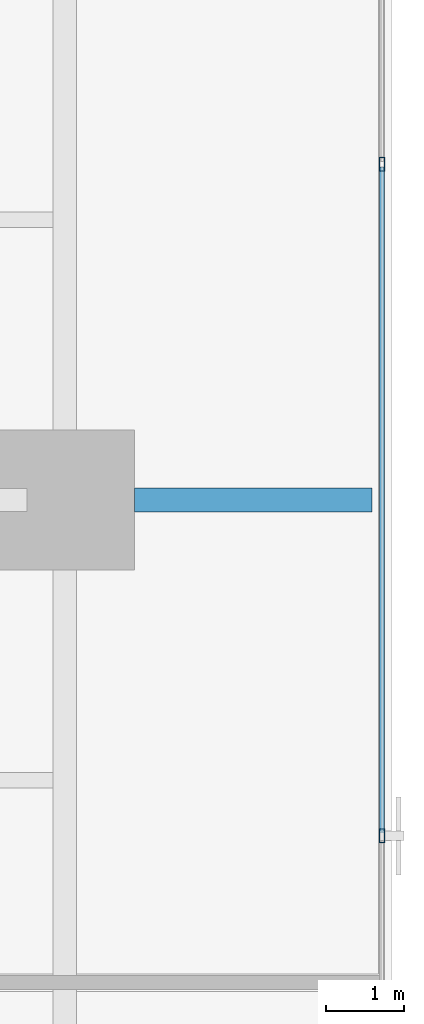
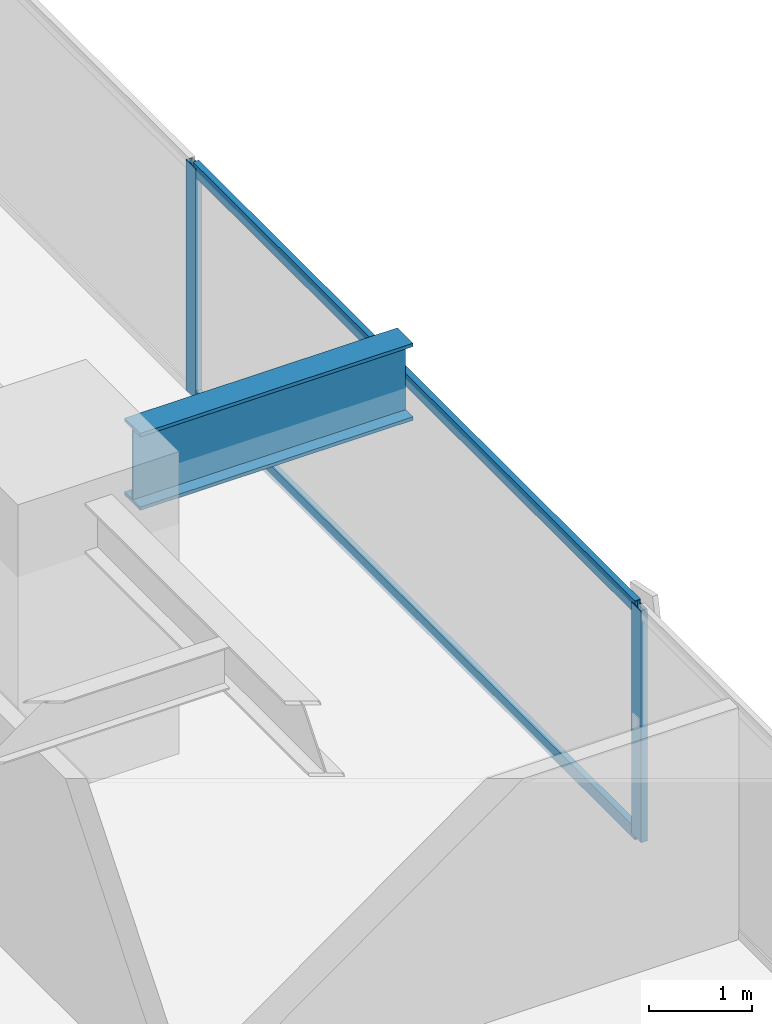
# One storey, part 15 of 33: 4 members, 1 beam, 1 element without a shape of its own.
"""IFC4 building model written with IfcOpenShell, lengths in metres."""

import ifcopenshell
import ifcopenshell.guid

model = None  # the IFC model being written
_history = None  # IfcOwnerHistory: only IFC2X3 demands one
_inside = {}  # id of a spatial element -> (the spatial element, [elements in it])
_under = {}  # id of a project, library or spatial element -> (it, [spatial elements below it])
_declared = {}  # id of a project -> (the project, [libraries it declares])
_typed = {}  # id of a type object -> (the type object, [elements of that type])
_made_of = {}  # id of a material, layer set ... -> (it, [elements and type objects made of it])


def new_model(schema):
    """Start an empty IFC model of exactly this schema.

    Asked for "IFC4X3", IfcOpenShell would pick the latest addendum, in which some entities
    have other attributes; the version numbers below select the first issue.
    IFC2X3 requires an IfcOwnerHistory on every rooted entity: one is made here for all.
    """
    global model, _history
    if schema == "IFC4X3":
        model = ifcopenshell.file(schema_version=(4, 3, 0, 0))
    else:
        model = ifcopenshell.file(schema=schema)
    _inside.clear()
    _under.clear()
    _declared.clear()
    _typed.clear()
    _made_of.clear()
    _history = None
    if model.schema == "IFC2X3":
        org = make("IfcOrganization", Name="unknown")
        user = make(
            "IfcPersonAndOrganization",
            ThePerson=make("IfcPerson", FamilyName="unknown"),
            TheOrganization=org,
        )
        app = make(
            "IfcApplication",
            ApplicationDeveloper=org,
            Version="unknown",
            ApplicationFullName="unknown",
            ApplicationIdentifier="unknown",
        )
        _history = make(
            "IfcOwnerHistory",
            OwningUser=user,
            OwningApplication=app,
            ChangeAction="ADDED",
            CreationDate=0,
        )
    return model


def make(cls, **values):
    """One entity of the class cls with the attributes given. An attribute that is None is left unset."""
    return model.create_entity(
        cls, **{name: value for name, value in values.items() if value is not None}
    )


def rooted(cls, **values):
    """An entity with a GlobalId (a new one), such as an element, a storey or a relation."""
    return make(cls, GlobalId=ifcopenshell.guid.new(), OwnerHistory=_history, **values)


def si_unit(unit_type, name, prefix=None):
    """IfcSIUnit, for example si_unit("LENGTHUNIT", "METRE", prefix="MILLI")."""
    return make("IfcSIUnit", UnitType=unit_type, Prefix=prefix, Name=name)


def assignment(units):
    """IfcUnitAssignment: the units of a project."""
    return None if units is None else make("IfcUnitAssignment", Units=units)


def point(xyz):
    """IfcCartesianPoint."""
    return None if xyz is None else make("IfcCartesianPoint", Coordinates=xyz)


def direction(xyz):
    """IfcDirection."""
    return None if xyz is None else make("IfcDirection", DirectionRatios=xyz)


def frame(location, z_axis=None, x_axis=None):
    """IfcAxis2Placement3D, a coordinate frame: its origin and axes. An axis left out is left unset."""
    return make(
        "IfcAxis2Placement3D",
        Location=point(location),
        Axis=direction(z_axis),
        RefDirection=direction(x_axis),
    )


def frame_2d(location, x_axis=None):
    """IfcAxis2Placement2D, a coordinate frame in the plane: its origin and x axis."""
    return make(
        "IfcAxis2Placement2D", Location=point(location), RefDirection=direction(x_axis)
    )


def origin():
    """The frame at (0, 0, 0) with its axes left unset."""
    return frame((0.0, 0.0, 0.0))


def origin_2d():
    """The frame at (0, 0) in the plane with its x axis left unset."""
    return frame_2d((0.0, 0.0))


def place(relative_to, where):
    """IfcLocalPlacement: puts the frame where relative to a parent placement (None: the world)."""
    return make(
        "IfcLocalPlacement", PlacementRelTo=relative_to, RelativePlacement=where
    )


def context(
    kind, dimensions, precision=None, world=None, true_north=None, identifier=None
):
    """IfcGeometricRepresentationContext, for example the 3D "Model" context."""
    return make(
        "IfcGeometricRepresentationContext",
        ContextIdentifier=identifier,
        ContextType=kind,
        CoordinateSpaceDimension=dimensions,
        Precision=precision,
        WorldCoordinateSystem=world,
        TrueNorth=true_north,
    )


def subcontext(parent, identifier, kind, view, scale=None):
    """IfcGeometricRepresentationSubContext, for example "Body" below "Model"."""
    return make(
        "IfcGeometricRepresentationSubContext",
        ContextIdentifier=identifier,
        ContextType=kind,
        ParentContext=parent,
        TargetScale=scale,
        TargetView=view,
    )


def project(units=None, contexts=None):
    """IfcProject with its units and contexts."""
    return rooted(
        "IfcProject",
        Name="project",
        RepresentationContexts=contexts,
        UnitsInContext=assignment(units),
    )


def spatial(cls, under=None, at=None, **own):
    """A site, building, storey or space (cls), placed at a placement, below another one or the project."""
    s = rooted(cls, ObjectPlacement=at, **own)
    if under is not None:
        _under.setdefault(under.id(), (under, []))[1].append(s)
    return s


def profile(cls, at=None, kind="AREA", **sizes):
    """A parametric profile (cls). Its sizes go by their IFC names, for example OverallWidth=200.0."""
    return make(cls, ProfileType=kind, Position=at, **sizes)


def hollow_rectangle(**sizes):
    """IfcRectangleHollowProfileDef."""
    return profile("IfcRectangleHollowProfileDef", **sizes)


def i_section(**sizes):
    """IfcIShapeProfileDef."""
    return profile("IfcIShapeProfileDef", **sizes)


def extrude(swept, where, along, depth):
    """IfcExtrudedAreaSolid: the profile swept, set in the frame where, extruded along a direction by depth."""
    return make(
        "IfcExtrudedAreaSolid",
        SweptArea=swept,
        Position=where,
        ExtrudedDirection=direction(along),
        Depth=depth,
    )


def shape(context_of_items, identifier, shape_type, items):
    """IfcShapeRepresentation: the items that make up one representation, for example the "Body"."""
    return make(
        "IfcShapeRepresentation",
        ContextOfItems=context_of_items,
        RepresentationIdentifier=identifier,
        RepresentationType=shape_type,
        Items=items,
    )


def source(mapping_origin, context_of_items, identifier, shape_type, items):
    """IfcRepresentationMap: a shape defined once, which mapped items show again and again."""
    return make(
        "IfcRepresentationMap",
        MappingOrigin=mapping_origin,
        MappedRepresentation=shape(context_of_items, identifier, shape_type, items),
    )


def transform(
    local_origin,
    x_axis=None,
    y_axis=None,
    z_axis=None,
    scale=None,
    scale2=None,
    scale3=None,
    uniform=True,
):
    """IfcCartesianTransformationOperator3D, or its non-uniform kind. x_axis, y_axis, z_axis: its Axis1, 2, 3."""
    if uniform:
        return make(
            "IfcCartesianTransformationOperator3D",
            Axis1=direction(x_axis),
            Axis2=direction(y_axis),
            LocalOrigin=point(local_origin),
            Scale=scale,
            Axis3=direction(z_axis),
        )
    return make(
        "IfcCartesianTransformationOperator3DnonUniform",
        Axis1=direction(x_axis),
        Axis2=direction(y_axis),
        LocalOrigin=point(local_origin),
        Scale=scale,
        Axis3=direction(z_axis),
        Scale2=scale2,
        Scale3=scale3,
    )


def mapped(mapping_source, mapping_target):
    """IfcMappedItem: shows the shape of a source again, moved by a transform."""
    return make(
        "IfcMappedItem", MappingSource=mapping_source, MappingTarget=mapping_target
    )


def material(Name=None, Category=None):
    """IfcMaterial."""
    return make("IfcMaterial", Name=Name, Category=Category)


def layer(
    of_material, thickness, ventilated=None, Name=None, Category=None, Priority=None
):
    """IfcMaterialLayer: one layer of a wall or slab, of a material (None: an air gap)."""
    return make(
        "IfcMaterialLayer",
        Material=of_material,
        LayerThickness=thickness,
        IsVentilated=ventilated,
        Name=Name,
        Category=Category,
        Priority=Priority,
    )


def layer_set(layers, Name=None):
    """IfcMaterialLayerSet."""
    return make("IfcMaterialLayerSet", MaterialLayers=layers, LayerSetName=Name)


def material_profile(
    of_material, cross_section, Name=None, Category=None, Priority=None
):
    """IfcMaterialProfile: a cross section and its material."""
    return make(
        "IfcMaterialProfile",
        Name=Name,
        Material=of_material,
        Profile=cross_section,
        Priority=Priority,
        Category=Category,
    )


def profile_set(profiles, Name=None, composite=None):
    """IfcMaterialProfileSet."""
    return make(
        "IfcMaterialProfileSet",
        Name=Name,
        MaterialProfiles=profiles,
        CompositeProfile=composite,
    )


def made_of(thing, what):
    """Note that an element or type object is made of a material, layer set ...; save() writes the relation."""
    if what is not None:
        _made_of.setdefault(what.id(), (what, []))[1].append(thing)
    return thing


def type_object(cls, material=None, **own):
    """A type object (cls), such as IfcWallType, which elements share."""
    return made_of(rooted(cls, **own), material)


def element(
    cls,
    number,
    at=None,
    inside=None,
    cuts=None,
    type_object=None,
    material=None,
    context=None,
    identifier="Body",
    shape_type=None,
    held_by="IfcProductDefinitionShape",
    body=None,
    shapes=None,
    **own,
):
    """One element of the class cls, such as IfcWall. Its Tag is "e" and its number.

    at: its placement. inside: the storey or other place that contains it. cuts: it is an
    opening in that element (IfcRelVoidsElement). A single representation is given by context,
    identifier, shape_type and body (its items); several are given by shapes. held_by: the class
    of the entity that holds the representations. save() writes the other relations.
    """
    e = rooted(cls, Tag="e%d" % number, ObjectPlacement=at, **own)
    if body is not None:
        shapes = [shape(context, identifier, shape_type, body)]
    if shapes is not None:
        e.Representation = make(held_by, Representations=shapes)
    if inside is not None:
        _inside.setdefault(inside.id(), (inside, []))[1].append(e)
    if cuts is not None:
        rooted(
            "IfcRelVoidsElement", RelatingBuildingElement=cuts, RelatedOpeningElement=e
        )
    if type_object is not None:
        _typed.setdefault(type_object.id(), (type_object, []))[1].append(e)
    return made_of(e, material)


def aggregate(whole, parts):
    """IfcRelAggregates: a whole, such as a stair, and the parts it consists of."""
    return rooted("IfcRelAggregates", RelatingObject=whole, RelatedObjects=parts)


def save(model, path):
    """Write the relations noted so far, then the file.

    IfcRelAggregates (storeys below a building ...), IfcRelContainedInSpatialStructure (elements
    in a storey), IfcRelDefinesByType, IfcRelAssociatesMaterial and IfcRelDeclares: one each for
    every whole, place, type object, material and project.
    """
    for whole, parts in _under.values():
        aggregate(whole, parts)
    for where, things in _inside.values():
        rooted(
            "IfcRelContainedInSpatialStructure",
            RelatedElements=things,
            RelatingStructure=where,
        )
    for kind, things in _typed.values():
        rooted("IfcRelDefinesByType", RelatedObjects=things, RelatingType=kind)
    for what, things in _made_of.values():
        rooted("IfcRelAssociatesMaterial", RelatedObjects=things, RelatingMaterial=what)
    for by, libraries in _declared.values():
        rooted("IfcRelDeclares", RelatingContext=by, RelatedDefinitions=libraries)
    model.write(path)


model = new_model("IFC4")

# Units and contexts
model_context = context("Model", 3, precision=1e-05, world=origin(), true_north=direction((0.0, 1.0)))
body_context = subcontext(model_context, "Body", "Model", "MODEL_VIEW")
ifc_project = project(units=[si_unit("LENGTHUNIT", "METRE"), si_unit("AREAUNIT", "SQUARE_METRE"), si_unit("VOLUMEUNIT", "CUBIC_METRE"), si_unit("PLANEANGLEUNIT", "RADIAN"), si_unit("MASSUNIT", "GRAM", prefix="KILO")], contexts=[model_context])

# Site, building, storey
site_placement = place(None, origin())
site = spatial("IfcSite", under=ifc_project, at=site_placement, CompositionType="ELEMENT")
building_placement = place(site_placement, origin())
building = spatial("IfcBuilding", under=site, at=building_placement, Name="Sumidabori Civic Tower", CompositionType="ELEMENT")
storey_placement = place(building_placement, frame((0.0, 0.0, 63.199951171875)))
storey = spatial("IfcBuildingStorey", under=building, at=storey_placement, Name="L16", CompositionType="ELEMENT", Elevation=63.199951171875)

# Beam
ifc_material_1 = material(Name="Steel SN490", Category="steel")
ifc_material_profile_1 = material_profile(ifc_material_1, i_section(OverallWidth=0.302001953125, OverallDepth=0.909912109375, WebThickness=0.02099609375, FlangeThickness=0.0400390625, at=origin_2d()), Name="HE 900 M")
ifc_profile_set_1 = profile_set([ifc_material_profile_1], Name="Steel SN490")
beam_type = type_object("IfcBeamType", Name="BM-Z1-EDGE", PredefinedType="SPANDREL", material=ifc_profile_set_1)
shared_shape_1 = source(origin(), body_context, "Body", "SweptSolid", [
    extrude(i_section(OverallWidth=0.302001953125, OverallDepth=0.909912109375, WebThickness=0.02099609375, FlangeThickness=0.0400390625, at=origin_2d()), origin(), (0.0, 0.0, 1.0), 3.050048828125),
])
beam_placement = place(storey_placement, frame((23.699951171875, 0.0, 2.905029296875), z_axis=(1.0, 0.0, 0.0), x_axis=(0.0, 1.0, 0.0)))
element("IfcBeam", 1, at=beam_placement, inside=storey, type_object=beam_type, Name="Perimeter Overhang Beam L16 E-45", PredefinedType="SPANDREL", context=body_context, shape_type="MappedRepresentation", body=[
    mapped(shared_shape_1, transform((0.0, 0.0, 0.0), x_axis=(1.0, 0.0, 0.0), y_axis=(0.0, 1.0, 0.0), z_axis=(0.0, 0.0, 1.0), scale=1.0)),
])

# Curtain wall, members
ifc_material_2 = material(Name="Anodised Bronze Aluminium AW-6063-T6", Category="aluminium")
ifc_layer = layer(ifc_material_2, 0.179931640625, Name="Anodised Bronze Aluminium AW-6063-T6")
ifc_layer_set = layer_set([ifc_layer], Name="Anodised Bronze Aluminium AW-6063-T6")
curtain_wall_type = type_object("IfcCurtainWallType", Name="CW-SYS-2", PredefinedType="NOTDEFINED", material=ifc_layer_set)
curtain_wall_placement = place(storey_placement, origin())
curtain_wall = element("IfcCurtainWall", 2, at=curtain_wall_placement, inside=storey, type_object=curtain_wall_type, Name="Curtain Wall CW:L16:R04", PredefinedType="NOTDEFINED")
ifc_material_profile_2 = material_profile(ifc_material_2, hollow_rectangle(XDim=0.070068359375, YDim=0.179931640625, WallThickness=0.006103515625, at=origin_2d()), Name="ALU MULLION 180x70")
ifc_profile_set_2 = profile_set([ifc_material_profile_2], Name="Anodised Bronze Aluminium AW-6063-T6")
member_type_1 = type_object("IfcMemberType", Name="CW-MUL-180", PredefinedType="MULLION", material=ifc_profile_set_2)
shared_shape_2 = source(origin(), body_context, "Body", "SweptSolid", [
    extrude(hollow_rectangle(XDim=0.070068359375, YDim=0.179931640625, WallThickness=0.006103515625, at=origin_2d()), origin(), (0.0, 0.0, 1.0), 2.739990234375),
])
member_1_placement = place(storey_placement, frame((26.8798828125, -4.31396484375, 0.0), z_axis=(0.0, 0.0, 1.0), x_axis=(-1.0, 0.0, 0.0)))
member_1 = element("IfcMember", 3, at=member_1_placement, type_object=member_type_1, Name="CW-2 mullion 3", PredefinedType="MULLION", context=body_context, shape_type="MappedRepresentation", body=[
    mapped(shared_shape_2, transform((0.0, 0.0, 0.0), x_axis=(1.0, 0.0, 0.0), y_axis=(0.0, 1.0, 0.0), z_axis=(0.0, 0.0, 1.0), scale=1.0)),
])
member_2_placement = place(storey_placement, frame((26.8798828125, 4.31396484375, 0.0), z_axis=(0.0, 0.0, 1.0), x_axis=(-1.0, 0.0, 0.0)))
member_2 = element("IfcMember", 4, at=member_2_placement, type_object=member_type_1, Name="CW-2 mullion 4", PredefinedType="MULLION", context=body_context, shape_type="MappedRepresentation", body=[
    mapped(shared_shape_2, transform((0.0, 0.0, 0.0), x_axis=(1.0, 0.0, 0.0), y_axis=(0.0, 1.0, 0.0), z_axis=(0.0, 0.0, 1.0), scale=1.0)),
])
ifc_material_profile_3 = material_profile(ifc_material_2, hollow_rectangle(XDim=0.06494140625, YDim=0.14990234375, WallThickness=0.0048828125, at=origin_2d()), Name="ALU TRANSOM 150x65")
ifc_profile_set_3 = profile_set([ifc_material_profile_3], Name="Anodised Bronze Aluminium AW-6063-T6")
member_type_2 = type_object("IfcMemberType", Name="CW-TRN-150", PredefinedType="USERDEFINED", material=ifc_profile_set_3)
shared_shape_3 = source(origin(), body_context, "Body", "SweptSolid", [
    extrude(hollow_rectangle(XDim=0.06494140625, YDim=0.14990234375, WallThickness=0.0048828125, at=origin_2d()), origin(), (0.0, 0.0, 1.0), 8.55810546875),
])
member_3_placement = place(storey_placement, frame((26.8798828125, -4.279052734375, 0.032470703125), z_axis=(0.0, 1.0, 0.0), x_axis=(-1.0, 0.0, 0.0)))
member_3 = element("IfcMember", 5, at=member_3_placement, type_object=member_type_2, Name="CW-2 transom 3.1", ObjectType="TRANSOM", PredefinedType="USERDEFINED", context=body_context, shape_type="MappedRepresentation", body=[
    mapped(shared_shape_3, transform((0.0, 0.0, 0.0), x_axis=(1.0, 0.0, 0.0), y_axis=(0.0, 1.0, 0.0), z_axis=(0.0, 0.0, 1.0), scale=1.0)),
])
member_4_placement = place(storey_placement, frame((26.8798828125, -4.279052734375, 2.70751953125), z_axis=(0.0, 1.0, 0.0), x_axis=(-1.0, 0.0, 0.0)))
member_4 = element("IfcMember", 6, at=member_4_placement, type_object=member_type_2, Name="CW-2 transom 3.2", ObjectType="TRANSOM", PredefinedType="USERDEFINED", context=body_context, shape_type="MappedRepresentation", body=[
    mapped(shared_shape_3, transform((0.0, 0.0, 0.0), x_axis=(1.0, 0.0, 0.0), y_axis=(0.0, 1.0, 0.0), z_axis=(0.0, 0.0, 1.0), scale=1.0)),
])
aggregate(curtain_wall, [member_1, member_2, member_3, member_4])

save(model, "model.ifc")
